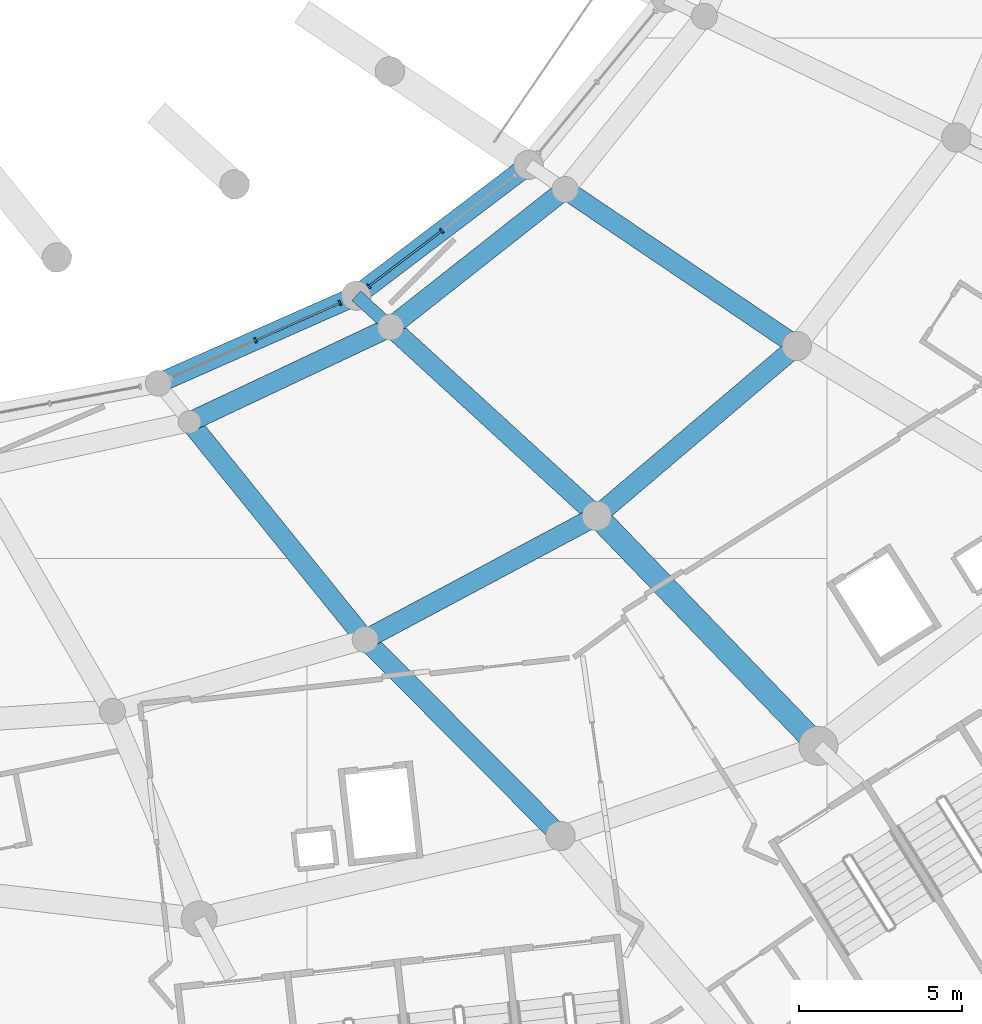
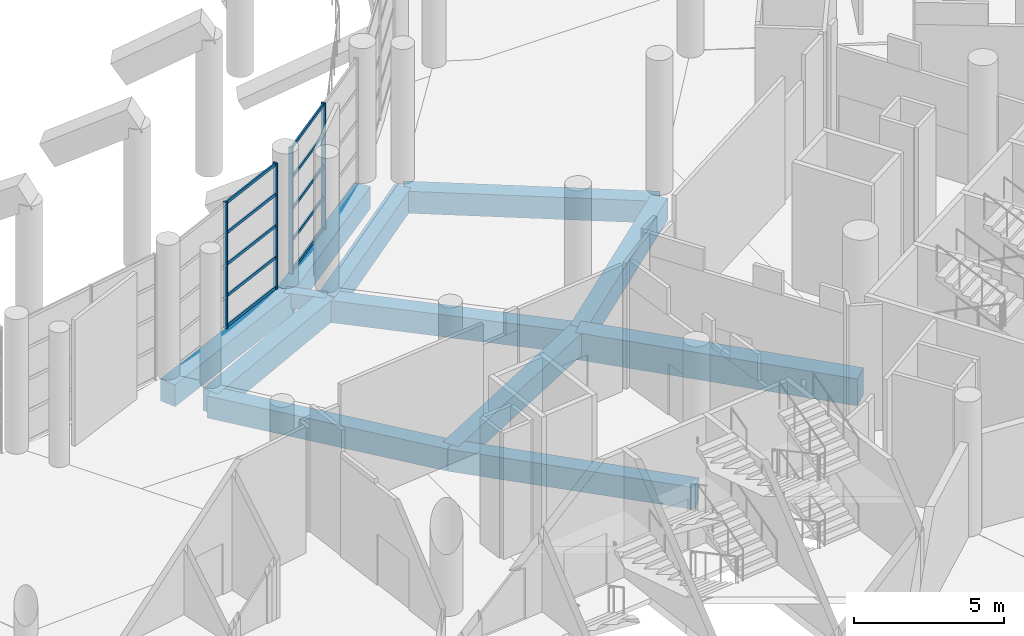
# One storey, part 46 of 271: 14 members, 12 beams, 2 elements without a shape of their own.
"""IFC4 building model written with IfcOpenShell, lengths in metres."""

from ifc_helpers import new_model, si_unit, direction, frame, origin, origin_2d, place, context, subcontext, project, spatial, rectangle, extrude, material, layer, layer_set, material_profile, profile_set, type_object, element, aggregate, save


model = new_model("IFC4")

# Units and contexts
model_context = context("Model", 3, precision=1e-05, world=origin(), true_north=direction((0.0, 1.0)))
body_context = subcontext(model_context, "Body", "Model", "MODEL_VIEW")
ifc_project = project(units=[si_unit("LENGTHUNIT", "METRE"), si_unit("AREAUNIT", "SQUARE_METRE"), si_unit("VOLUMEUNIT", "CUBIC_METRE"), si_unit("PLANEANGLEUNIT", "RADIAN"), si_unit("MASSUNIT", "GRAM", prefix="KILO")], contexts=[model_context])

# Site, building, storey
site_placement = place(None, origin())
site = spatial("IfcSite", under=ifc_project, at=site_placement, CompositionType="ELEMENT")
building_placement = place(site_placement, origin())
building = spatial("IfcBuilding", under=site, at=building_placement, Name="Meseta Stadium", CompositionType="ELEMENT")
storey_placement = place(building_placement, frame((0.0, 0.0, 6.5)))
storey = spatial("IfcBuildingStorey", under=building, at=storey_placement, Name="L01", CompositionType="ELEMENT", Elevation=6.5)

# Curtain wall, members
ifc_material_1 = material(Name="Aluminium", Category="aluminium")
ifc_layer = layer(ifc_material_1, 0.199951171875)
ifc_layer_set = layer_set([ifc_layer], Name="Club glazing curtain wall")
curtain_wall_type = type_object("IfcCurtainWallType", Name="Club glazing curtain wall", PredefinedType="NOTDEFINED", material=ifc_layer_set)
curtain_wall_1_placement = place(storey_placement, origin())
curtain_wall_1 = element("IfcCurtainWall", 1, at=curtain_wall_1_placement, inside=storey, type_object=curtain_wall_type, Name="Club glazing bay 51", PredefinedType="NOTDEFINED")
ifc_material_2 = material(Name="Aluminium", Category="aluminium")
ifc_material_profile_1 = material_profile(ifc_material_2, rectangle(XDim=0.159912109375, YDim=0.06005859375, at=origin_2d()), Name="CW 160x60")
ifc_profile_set_1 = profile_set([ifc_material_profile_1], Name="Aluminium")
member_type_1 = type_object("IfcMemberType", Name="CW mullion 60x160", PredefinedType="MULLION", material=ifc_profile_set_1)
member_1_placement = place(storey_placement, frame((46.41796875, -73.2958984375, 0.0), z_axis=(0.0, 0.0, 1.0), x_axis=(-0.40452428424, 0.914527256817, 0.0)))
member_1 = element("IfcMember", 2, at=member_1_placement, type_object=member_type_1, Name="CWC mullion 2", PredefinedType="MULLION", context=body_context, shape_type="SweptSolid", body=[
    extrude(rectangle(XDim=0.159912109375, YDim=0.06005859375, at=origin_2d()), origin(), (0.0, 0.0, 1.0), 5.14990234375),
])
member_2_placement = place(storey_placement, frame((49.0126953125, -72.148193359375, 0.0), z_axis=(0.0, 0.0, 1.0), x_axis=(-0.40452428424, 0.914527256817, 0.0)))
member_2 = element("IfcMember", 3, at=member_2_placement, type_object=member_type_1, Name="CWC mullion 3", PredefinedType="MULLION", context=body_context, shape_type="SweptSolid", body=[
    extrude(rectangle(XDim=0.159912109375, YDim=0.06005859375, at=origin_2d()), origin(), (0.0, 0.0, 1.0), 5.14990234375),
])

curtain_wall_2_placement = place(storey_placement, origin())
curtain_wall_2 = element("IfcCurtainWall", 4, at=curtain_wall_2_placement, inside=storey, type_object=curtain_wall_type, Name="Club glazing bay 52", PredefinedType="NOTDEFINED")
member_3_placement = place(storey_placement, frame((49.900390625, -71.634765625, 0.0), z_axis=(0.0, 0.0, 1.0), x_axis=(-0.604519923448, 0.796590021375, 0.0)))
member_3 = element("IfcMember", 5, at=member_3_placement, type_object=member_type_1, Name="CWC mullion 1", PredefinedType="MULLION", context=body_context, shape_type="SweptSolid", body=[
    extrude(rectangle(XDim=0.159912109375, YDim=0.06005859375, at=origin_2d()), origin(), (0.0, 0.0, 1.0), 5.14990234375),
])
member_4_placement = place(storey_placement, frame((52.146484375, -69.93017578125, 0.0), z_axis=(0.0, 0.0, 1.0), x_axis=(-0.604519923448, 0.796590021375, 0.0)))
member_4 = element("IfcMember", 6, at=member_4_placement, type_object=member_type_1, Name="CWC mullion 2", PredefinedType="MULLION", context=body_context, shape_type="SweptSolid", body=[
    extrude(rectangle(XDim=0.159912109375, YDim=0.06005859375, at=origin_2d()), origin(), (0.0, 0.0, 1.0), 5.14990234375),
])

# Member
ifc_material_3 = material(Name="Aluminium", Category="aluminium")
ifc_material_profile_2 = material_profile(ifc_material_3, rectangle(XDim=0.06005859375, YDim=0.1201171875, at=origin_2d()), Name="CW 60x120")
ifc_profile_set_2 = profile_set([ifc_material_profile_2], Name="Aluminium")
member_type_2 = type_object("IfcMemberType", Name="CW transom 60x120", PredefinedType="USERDEFINED", material=ifc_profile_set_2)
member_5_placement = place(storey_placement, frame((46.445556640625, -73.283935546875, 0.06005859375), z_axis=(0.914499058319, 0.404588027916, 0.0), x_axis=(-0.404588027916, 0.914499058319, 0.0)))
member_5 = element("IfcMember", 7, at=member_5_placement, type_object=member_type_2, Name="CWC transom 2.1", ObjectType="TRANSOM", PredefinedType="USERDEFINED", context=body_context, shape_type="SweptSolid", body=[
    extrude(rectangle(XDim=0.06005859375, YDim=0.1201171875, at=origin_2d()), origin(), (0.0, 0.0, 1.0), 2.777099609375),
])

member_6_placement = place(storey_placement, frame((46.445556640625, -73.283935546875, 1.28759765625), z_axis=(0.914499058319, 0.404588027916, 0.0), x_axis=(-0.404588027916, 0.914499058319, 0.0)))
member_6 = element("IfcMember", 8, at=member_6_placement, type_object=member_type_2, Name="CWC transom 2.2", ObjectType="TRANSOM", PredefinedType="USERDEFINED", context=body_context, shape_type="SweptSolid", body=[
    extrude(rectangle(XDim=0.06005859375, YDim=0.1201171875, at=origin_2d()), origin(), (0.0, 0.0, 1.0), 2.777099609375),
])

member_7_placement = place(storey_placement, frame((46.445556640625, -73.283935546875, 2.574951171875), z_axis=(0.914499058319, 0.404588027916, 0.0), x_axis=(-0.404588027916, 0.914499058319, 0.0)))
member_7 = element("IfcMember", 9, at=member_7_placement, type_object=member_type_2, Name="CWC transom 2.3", ObjectType="TRANSOM", PredefinedType="USERDEFINED", context=body_context, shape_type="SweptSolid", body=[
    extrude(rectangle(XDim=0.06005859375, YDim=0.1201171875, at=origin_2d()), origin(), (0.0, 0.0, 1.0), 2.777099609375),
])

member_8_placement = place(storey_placement, frame((46.445556640625, -73.283935546875, 3.862548828125), z_axis=(0.914499058319, 0.404588027916, 0.0), x_axis=(-0.404588027916, 0.914499058319, 0.0)))
member_8 = element("IfcMember", 10, at=member_8_placement, type_object=member_type_2, Name="CWC transom 2.4", ObjectType="TRANSOM", PredefinedType="USERDEFINED", context=body_context, shape_type="SweptSolid", body=[
    extrude(rectangle(XDim=0.06005859375, YDim=0.1201171875, at=origin_2d()), origin(), (0.0, 0.0, 1.0), 2.777099609375),
])

member_9_placement = place(storey_placement, frame((46.445556640625, -73.283935546875, 5.090087890625), z_axis=(0.914499058319, 0.404588027916, 0.0), x_axis=(-0.404588027916, 0.914499058319, 0.0)))
member_9 = element("IfcMember", 11, at=member_9_placement, type_object=member_type_2, Name="CWC transom 2.5", ObjectType="TRANSOM", PredefinedType="USERDEFINED", context=body_context, shape_type="SweptSolid", body=[
    extrude(rectangle(XDim=0.06005859375, YDim=0.1201171875, at=origin_2d()), origin(), (0.0, 0.0, 1.0), 2.777099609375),
])

aggregate(curtain_wall_1, [member_1, member_2, member_5, member_6, member_7, member_8, member_9])

member_10_placement = place(storey_placement, frame((49.92431640625, -71.61669921875, 0.06005859375), z_axis=(0.796547299203, 0.604576215321, 0.0), x_axis=(-0.604576215321, 0.796547299203, 0.0)))
member_10 = element("IfcMember", 12, at=member_10_placement, type_object=member_type_2, Name="CWC transom 1.1", ObjectType="TRANSOM", PredefinedType="USERDEFINED", context=body_context, shape_type="SweptSolid", body=[
    extrude(rectangle(XDim=0.06005859375, YDim=0.1201171875, at=origin_2d()), origin(), (0.0, 0.0, 1.0), 2.759765625),
])

member_11_placement = place(storey_placement, frame((49.92431640625, -71.61669921875, 1.28759765625), z_axis=(0.796547299203, 0.604576215321, 0.0), x_axis=(-0.604576215321, 0.796547299203, 0.0)))
member_11 = element("IfcMember", 13, at=member_11_placement, type_object=member_type_2, Name="CWC transom 1.2", ObjectType="TRANSOM", PredefinedType="USERDEFINED", context=body_context, shape_type="SweptSolid", body=[
    extrude(rectangle(XDim=0.06005859375, YDim=0.1201171875, at=origin_2d()), origin(), (0.0, 0.0, 1.0), 2.759765625),
])

member_12_placement = place(storey_placement, frame((49.92431640625, -71.61669921875, 2.574951171875), z_axis=(0.796547299203, 0.604576215321, 0.0), x_axis=(-0.604576215321, 0.796547299203, 0.0)))
member_12 = element("IfcMember", 14, at=member_12_placement, type_object=member_type_2, Name="CWC transom 1.3", ObjectType="TRANSOM", PredefinedType="USERDEFINED", context=body_context, shape_type="SweptSolid", body=[
    extrude(rectangle(XDim=0.06005859375, YDim=0.1201171875, at=origin_2d()), origin(), (0.0, 0.0, 1.0), 2.759765625),
])

member_13_placement = place(storey_placement, frame((49.92431640625, -71.61669921875, 3.862548828125), z_axis=(0.796547299203, 0.604576215321, 0.0), x_axis=(-0.604576215321, 0.796547299203, 0.0)))
member_13 = element("IfcMember", 15, at=member_13_placement, type_object=member_type_2, Name="CWC transom 1.4", ObjectType="TRANSOM", PredefinedType="USERDEFINED", context=body_context, shape_type="SweptSolid", body=[
    extrude(rectangle(XDim=0.06005859375, YDim=0.1201171875, at=origin_2d()), origin(), (0.0, 0.0, 1.0), 2.759765625),
])

member_14_placement = place(storey_placement, frame((49.92431640625, -71.61669921875, 5.090087890625), z_axis=(0.796547299203, 0.604576215321, 0.0), x_axis=(-0.604576215321, 0.796547299203, 0.0)))
member_14 = element("IfcMember", 16, at=member_14_placement, type_object=member_type_2, Name="CWC transom 1.5", ObjectType="TRANSOM", PredefinedType="USERDEFINED", context=body_context, shape_type="SweptSolid", body=[
    extrude(rectangle(XDim=0.06005859375, YDim=0.1201171875, at=origin_2d()), origin(), (0.0, 0.0, 1.0), 2.759765625),
])

aggregate(curtain_wall_2, [member_3, member_4, member_10, member_11, member_12, member_13, member_14])

# Beams
ifc_material_4 = material(Name="Concrete C40/50", Category="concrete")
ifc_material_profile_3 = material_profile(ifc_material_4, rectangle(XDim=0.39990234375, YDim=0.60009765625, at=origin_2d()), Name="RC 400x600")
ifc_profile_set_3 = profile_set([ifc_material_profile_3], Name="Concrete C40/50")
beam_type_1 = type_object("IfcBeamType", Name="RC beam 400x600", PredefinedType="BEAM", material=ifc_profile_set_3)
beam_1_placement = place(storey_placement, frame((49.518310546875, -71.924560546875, -0.64990234375), z_axis=(0.737537238319, -0.675306465313, 0.0), x_axis=(0.675306465313, 0.737537238319, 0.0)))
element("IfcBeam", 17, at=beam_1_placement, inside=storey, type_object=beam_type_1, Name="L01 radial beam frame 52 line C to D", PredefinedType="BEAM", context=body_context, shape_type="SweptSolid", body=[
    extrude(rectangle(XDim=0.39990234375, YDim=0.60009765625, at=origin_2d()), origin(), (0.0, 0.0, 1.0), 1.427978515625),
])
ifc_material_5 = material(Name="Concrete C40/50", Category="concrete")
ifc_material_profile_4 = material_profile(ifc_material_5, rectangle(XDim=0.60009765625, YDim=0.89990234375, at=origin_2d()), Name="RC 600x900")
ifc_profile_set_4 = profile_set([ifc_material_profile_4], Name="Concrete C40/50")
beam_type_2 = type_object("IfcBeamType", Name="RC beam 600x900", PredefinedType="BEAM", material=ifc_profile_set_4)
beam_2_placement = place(storey_placement, frame((43.430419921875, -74.617431640625, -0.800048828125), z_axis=(0.914526988421, 0.404524891013, 0.0), x_axis=(-0.404524891013, 0.914526988421, 0.0)))
element("IfcBeam", 18, at=beam_2_placement, inside=storey, type_object=beam_type_2, Name="L01 ring beam frame 51 line C", PredefinedType="BEAM", context=body_context, shape_type="SweptSolid", body=[
    extrude(rectangle(XDim=0.60009765625, YDim=0.89990234375, at=origin_2d()), origin(), (0.0, 0.0, 1.0), 6.656982421875),
])
beam_3_placement = place(storey_placement, frame((44.389892578125, -75.806396484375, -0.800048828125), z_axis=(0.904340564666, 0.426811601412, 0.0), x_axis=(-0.426811601412, 0.904340564666, 0.0)))
element("IfcBeam", 19, at=beam_3_placement, inside=storey, type_object=beam_type_2, Name="L01 ring beam frame 51 line D", PredefinedType="BEAM", context=body_context, shape_type="SweptSolid", body=[
    extrude(rectangle(XDim=0.60009765625, YDim=0.89990234375, at=origin_2d()), origin(), (0.0, 0.0, 1.0), 6.83544921875),
])
beam_4_placement = place(storey_placement, frame((49.791015625, -82.498779296875, -0.800048828125), z_axis=(0.882172948557, 0.47092556613, 0.0), x_axis=(-0.47092556613, 0.882172948557, 0.0)))
element("IfcBeam", 20, at=beam_4_placement, inside=storey, type_object=beam_type_2, Name="L01 ring beam frame 51 line E", PredefinedType="BEAM", context=body_context, shape_type="SweptSolid", body=[
    extrude(rectangle(XDim=0.60009765625, YDim=0.89990234375, at=origin_2d()), origin(), (0.0, 0.0, 1.0), 8.075439453125),
])
beam_5_placement = place(storey_placement, frame((49.518310546875, -71.924560546875, -0.800048828125), z_axis=(0.796597456173, 0.604510126316, 0.0), x_axis=(-0.604510126316, 0.796597456173, 0.0)))
element("IfcBeam", 21, at=beam_5_placement, inside=storey, type_object=beam_type_2, Name="L01 ring beam frame 52 line C", PredefinedType="BEAM", context=body_context, shape_type="SweptSolid", body=[
    extrude(rectangle(XDim=0.60009765625, YDim=0.89990234375, at=origin_2d()), origin(), (0.0, 0.0, 1.0), 6.65478515625),
])
beam_6_placement = place(storey_placement, frame((50.571533203125, -72.888916015625, -0.800048828125), z_axis=(0.785430108596, 0.618950357065, 0.0), x_axis=(-0.618950357065, 0.785430108596, 0.0)))
element("IfcBeam", 22, at=beam_6_placement, inside=storey, type_object=beam_type_2, Name="L01 ring beam frame 52 line D", PredefinedType="BEAM", context=body_context, shape_type="SweptSolid", body=[
    extrude(rectangle(XDim=0.60009765625, YDim=0.89990234375, at=origin_2d()), origin(), (0.0, 0.0, 1.0), 6.835205078125),
])
beam_7_placement = place(storey_placement, frame((56.9150390625, -78.69580078125, -0.800048828125), z_axis=(0.762201166724, 0.647340236231, 0.0), x_axis=(-0.647340236231, 0.762201166724, 0.0)))
element("IfcBeam", 23, at=beam_7_placement, inside=storey, type_object=beam_type_2, Name="L01 ring beam frame 52 line E", PredefinedType="BEAM", context=body_context, shape_type="SweptSolid", body=[
    extrude(rectangle(XDim=0.60009765625, YDim=0.89990234375, at=origin_2d()), origin(), (0.0, 0.0, 1.0), 8.07275390625),
])
beam_8_placement = place(storey_placement, frame((44.389892578125, -75.806396484375, -0.800048828125), z_axis=(0.628037063111, -0.778183427836, 0.0), x_axis=(0.778183427836, 0.628037063111, 0.0)))
element("IfcBeam", 24, at=beam_8_placement, inside=storey, type_object=beam_type_2, Name="L01 radial beam frame 51 line D to E", PredefinedType="BEAM", context=body_context, shape_type="SweptSolid", body=[
    extrude(rectangle(XDim=0.60009765625, YDim=0.89990234375, at=origin_2d()), origin(), (0.0, 0.0, 1.0), 8.60009765625),
])
beam_9_placement = place(storey_placement, frame((49.791015625, -82.498779296875, -0.800048828125), z_axis=(0.705084131782, -0.709123661366, 0.0), x_axis=(0.709123661366, 0.705084131782, 0.0)))
element("IfcBeam", 25, at=beam_9_placement, inside=storey, type_object=beam_type_2, Name="L01 radial beam frame 51 line E to P", PredefinedType="BEAM", context=body_context, shape_type="SweptSolid", body=[
    extrude(rectangle(XDim=0.60009765625, YDim=0.89990234375, at=origin_2d()), origin(), (0.0, 0.0, 1.0), 8.521728515625),
])
for number, where, z_axis, x_axis, name in (
    (26, (50.571533203125, -72.888916015625, -0.800048828125), (0.737617073742, -0.675219262554, 0.0), (0.675219262554, 0.737617073742, 0.0), "L01 radial beam frame 52 line D to E"),
    (27, (55.940185546875, -68.658203125, -0.800048828125), (0.828826294275, -0.559506008832, 0.0), (0.559506008832, 0.828826294275, 0.0), "L01 radial beam frame 53 line D to E"),
):
    element("IfcBeam", number, at=place(storey_placement, frame(where, z_axis=z_axis, x_axis=x_axis)), inside=storey, type_object=beam_type_2, Name=name, PredefinedType="BEAM", context=body_context, shape_type="SweptSolid", body=[
        extrude(rectangle(XDim=0.60009765625, YDim=0.89990234375, at=origin_2d()), origin(), (0.0, 0.0, 1.0), 8.60009765625),
    ])
ifc_material_6 = material(Name="Concrete C40/50", Category="concrete")
ifc_material_profile_5 = material_profile(ifc_material_6, rectangle(XDim=0.699951171875, YDim=1.10009765625, at=origin_2d()), Name="RC 700x1100")
ifc_profile_set_5 = profile_set([ifc_material_profile_5], Name="Concrete C40/50")
beam_type_3 = type_object("IfcBeamType", Name="RC beam 700x1100", PredefinedType="BEAM", material=ifc_profile_set_5)
beam_10_placement = place(storey_placement, frame((56.9150390625, -78.69580078125, -0.89990234375), z_axis=(0.69380069558, -0.72016706035, 0.0), x_axis=(0.72016706035, 0.69380069558, 0.0)))
element("IfcBeam", 28, at=beam_10_placement, inside=storey, type_object=beam_type_3, Name="L01 radial beam frame 52 line E to P", PredefinedType="BEAM", context=body_context, shape_type="SweptSolid", body=[
    extrude(rectangle(XDim=0.699951171875, YDim=1.10009765625, at=origin_2d()), origin(), (0.0, 0.0, 1.0), 9.824462890625),
])

save(model, "model.ifc")
